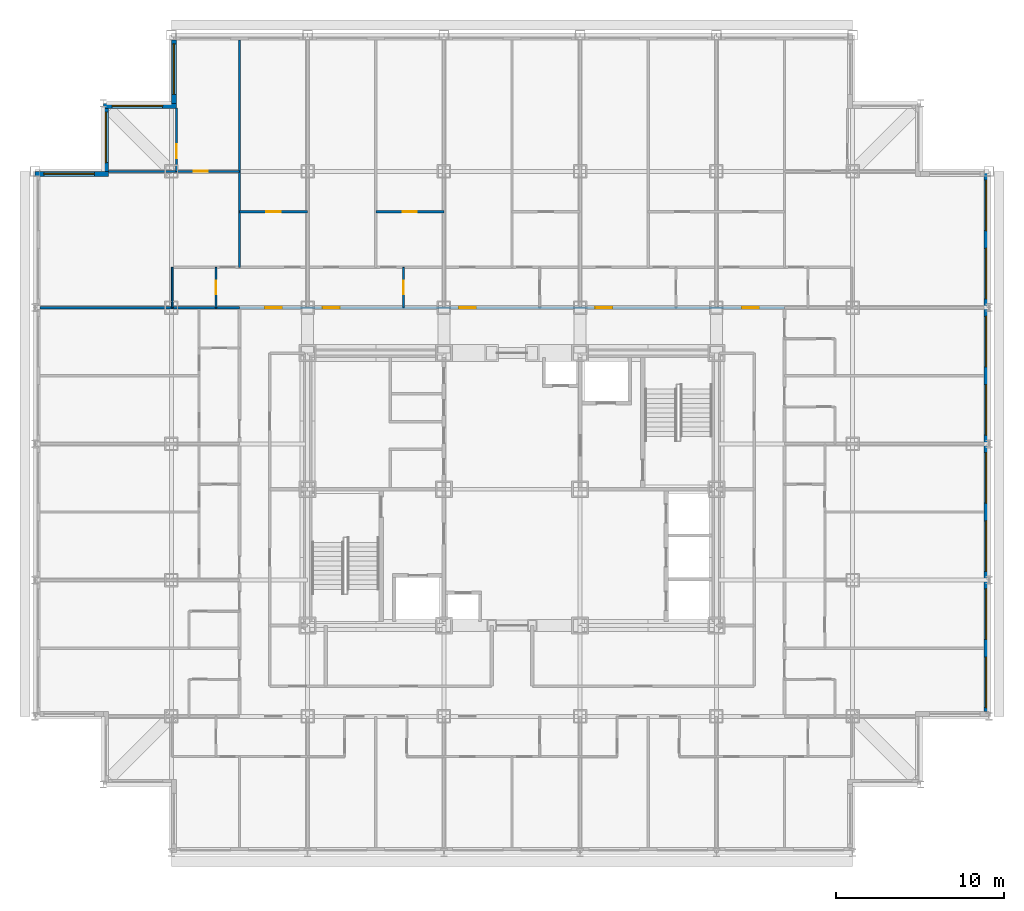
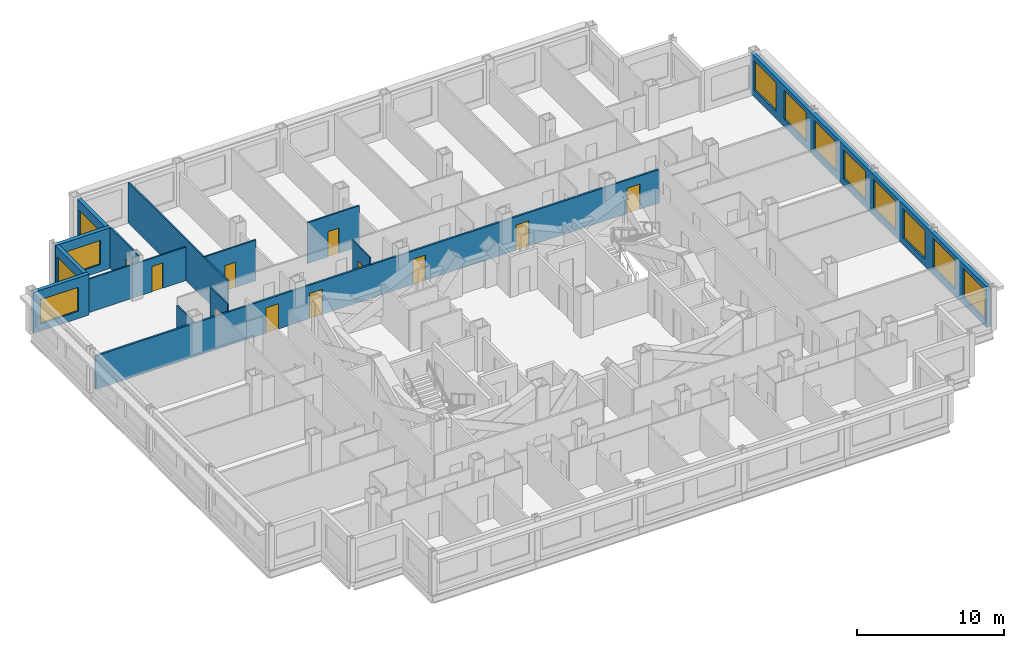
# One storey, part 9 of 12: 15 walls, 12 windows, 11 doors, 23 openings.
"""IFC4 building model written with IfcOpenShell, lengths in metres."""

from ifc_helpers import new_model, si_unit, direction, frame, frame_2d, origin, place, context, subcontext, project, spatial, rectangle, extrude, material, layer, layer_set, type_object, element, fill, save


model = new_model("IFC4")

# Units and contexts
model_context = context("Model", 3, precision=1e-05, world=origin(), true_north=direction((0.0, 1.0)))
body_context = subcontext(model_context, "Body", "Model", "MODEL_VIEW")
ifc_project = project(units=[si_unit("LENGTHUNIT", "METRE"), si_unit("AREAUNIT", "SQUARE_METRE"), si_unit("VOLUMEUNIT", "CUBIC_METRE"), si_unit("PLANEANGLEUNIT", "RADIAN"), si_unit("MASSUNIT", "GRAM", prefix="KILO")], contexts=[model_context])

# Site, building, storey
site_placement = place(None, origin())
site = spatial("IfcSite", under=ifc_project, at=site_placement, CompositionType="ELEMENT")
building_placement = place(site_placement, origin())
building = spatial("IfcBuilding", under=site, at=building_placement, Name="Kopane Lantern Tower", CompositionType="ELEMENT")
storey_placement = place(building_placement, frame((0.0, 0.0, 174.0)))
storey = spatial("IfcBuildingStorey", under=building, at=storey_placement, Name="L44", CompositionType="ELEMENT", Elevation=174.0)

# Wall
ifc_material_1 = material(Name="Gypsum board on steel studs", Category="steel")
ifc_layer_1 = layer(ifc_material_1, 0.1201171875)
ifc_layer_set_1 = layer_set([ifc_layer_1], Name="APARTMENT INTERNAL WALL 120")
wall_type_1 = type_object("IfcWallType", Name="APARTMENT INTERNAL WALL 120", PredefinedType="PARTITIONING", material=ifc_layer_set_1)
wall_1_placement = place(storey_placement, frame((12.14990234375, 45.60009765625, 0.0), z_axis=(0.0, 0.0, 1.0), x_axis=(0.0, 1.0, 0.0)))
element("IfcWall", 1, at=wall_1_placement, inside=storey, type_object=wall_type_1, Name="Apartment Internal Wall 120 L44", PredefinedType="PARTITIONING", context=body_context, shape_type="SweptSolid", body=[
    extrude(rectangle(XDim=13.5, YDim=0.1201171875, at=frame_2d((6.75, 0.0))), origin(), (0.0, 0.0, 1.0), 3.389892578125),
])

# Wall, opening, door
wall_2_placement = place(storey_placement, frame((12.14990234375, 51.300048828125, 0.0), z_axis=(0.0, 0.0, 1.0), x_axis=(-1.0, 0.0, 0.0)))
wall_2 = element("IfcWall", 2, at=wall_2_placement, inside=storey, type_object=wall_type_1, Name="Apartment Internal Wall 120 L44", PredefinedType="PARTITIONING", context=body_context, shape_type="SweptSolid", body=[
    extrude(rectangle(XDim=7.7998046875, YDim=0.1201171875, at=frame_2d((3.89990234375, 0.0))), origin(), (0.0, 0.0, 1.0), 2.77783203125),
])
opening_1_placement = place(wall_2_placement, frame((1.875, 0.0, 0.0)))
opening_1 = element("IfcOpeningElement", 3, at=opening_1_placement, cuts=wall_2, Name="Opening L44-071", PredefinedType="OPENING", context=body_context, shape_type="SweptSolid", body=[
    extrude(rectangle(XDim=0.85009765625, YDim=2.10009765625, at=frame_2d((0.425048828125, 1.050048828125))), frame((0.0, 0.070068359375, 0.0), z_axis=(0.0, -1.0, 0.0), x_axis=(1.0, 0.0, 0.0)), (0.0, 0.0, 1.0), 0.14013671875),
])
ifc_material_2 = material(Name="Timber door set", Category="wood")
door_type_1 = type_object("IfcDoorType", Name="DOOR D4 850x2100", OperationType="SINGLE_SWING_LEFT", PredefinedType="DOOR", material=ifc_material_2)
door_1_placement = place(opening_1_placement, origin())
door_1 = element("IfcDoor", 4, at=door_1_placement, inside=storey, type_object=door_type_1, Name="Door L44-071", OperationType="SINGLE_SWING_LEFT", OverallHeight=2.10009765625, OverallWidth=0.85009765625, PredefinedType="DOOR", context=body_context, shape_type="SweptSolid", body=[
    extrude(rectangle(XDim=0.85009765625, YDim=2.10009765625, at=frame_2d((0.425048828125, 1.050048828125))), frame((0.0, 0.02490234375, 0.0), z_axis=(0.0, -1.0, 0.0), x_axis=(1.0, 0.0, 0.0)), (0.0, 0.0, 1.0), 0.050048828125),
])
fill(opening_1, door_1)

wall_3_placement = place(storey_placement, frame((8.39990234375, 55.06005859375, 0.0), z_axis=(0.0, 0.0, 1.0), x_axis=(0.0, -1.0, 0.0)))
wall_3 = element("IfcWall", 5, at=wall_3_placement, inside=storey, type_object=wall_type_1, Name="Apartment Internal Wall 120 L44", PredefinedType="PARTITIONING", context=body_context, shape_type="SweptSolid", body=[
    extrude(rectangle(XDim=3.760009765625, YDim=0.1201171875, at=frame_2d((1.8798828125, 0.0))), origin(), (0.0, 0.0, 1.0), 3.389892578125),
])
opening_2_placement = place(wall_3_placement, frame((2.135009765625, 0.0, 0.0)))
opening_2 = element("IfcOpeningElement", 6, at=opening_2_placement, cuts=wall_3, Name="Opening L44-073", PredefinedType="OPENING", context=body_context, shape_type="SweptSolid", body=[
    extrude(rectangle(XDim=0.85009765625, YDim=2.10009765625, at=frame_2d((0.425048828125, 1.050048828125))), frame((0.0, 0.070068359375, 0.0), z_axis=(0.0, -1.0, 0.0), x_axis=(1.0, 0.0, 0.0)), (0.0, 0.0, 1.0), 0.14013671875),
])
door_2_placement = place(opening_2_placement, origin())
door_2 = element("IfcDoor", 7, at=door_2_placement, inside=storey, type_object=door_type_1, Name="Door L44-073", OperationType="SINGLE_SWING_RIGHT", OverallHeight=2.10009765625, OverallWidth=0.85009765625, PredefinedType="DOOR", context=body_context, shape_type="SweptSolid", body=[
    extrude(rectangle(XDim=0.85009765625, YDim=2.10009765625, at=frame_2d((0.425048828125, 1.050048828125))), frame((0.0, 0.02490234375, 0.0), z_axis=(0.0, -1.0, 0.0), x_axis=(1.0, 0.0, 0.0)), (0.0, 0.0, 1.0), 0.050048828125),
])
fill(opening_2, door_2)

wall_4_placement = place(storey_placement, frame((20.25, 48.89990234375, 0.0), z_axis=(0.0, 0.0, 1.0), x_axis=(1.0, 0.0, 0.0)))
wall_4 = element("IfcWall", 8, at=wall_4_placement, inside=storey, type_object=wall_type_1, Name="Apartment Internal Wall 120 L44", PredefinedType="PARTITIONING", context=body_context, shape_type="SweptSolid", body=[
    extrude(rectangle(XDim=4.050048828125, YDim=0.1201171875, at=frame_2d((2.02490234375, 0.0))), origin(), (0.0, 0.0, 1.0), 3.389892578125),
])
opening_3_placement = place(wall_4_placement, frame((1.60009765625, 0.0, 0.0)))
opening_3 = element("IfcOpeningElement", 9, at=opening_3_placement, cuts=wall_4, Name="Opening L44-074", PredefinedType="OPENING", context=body_context, shape_type="SweptSolid", body=[
    extrude(rectangle(XDim=0.85009765625, YDim=2.10009765625, at=frame_2d((0.425048828125, 1.050048828125))), frame((0.0, 0.070068359375, 0.0), z_axis=(0.0, -1.0, 0.0), x_axis=(1.0, 0.0, 0.0)), (0.0, 0.0, 1.0), 0.14013671875),
])
door_3_placement = place(opening_3_placement, origin())
door_3 = element("IfcDoor", 10, at=door_3_placement, inside=storey, type_object=door_type_1, Name="Door L44-074", OperationType="SINGLE_SWING_RIGHT", OverallHeight=2.10009765625, OverallWidth=0.85009765625, PredefinedType="DOOR", context=body_context, shape_type="SweptSolid", body=[
    extrude(rectangle(XDim=0.85009765625, YDim=2.10009765625, at=frame_2d((0.425048828125, 1.050048828125))), frame((0.0, 0.02490234375, 0.0), z_axis=(0.0, -1.0, 0.0), x_axis=(1.0, 0.0, 0.0)), (0.0, 0.0, 1.0), 0.050048828125),
])
fill(opening_3, door_3)

wall_5_placement = place(storey_placement, frame((12.14990234375, 48.89990234375, 0.0), z_axis=(0.0, 0.0, 1.0), x_axis=(1.0, 0.0, 0.0)))
wall_5 = element("IfcWall", 11, at=wall_5_placement, inside=storey, type_object=wall_type_1, Name="Apartment Internal Wall 120 L44", PredefinedType="PARTITIONING", context=body_context, shape_type="SweptSolid", body=[
    extrude(rectangle(XDim=4.050048828125, YDim=0.1201171875, at=frame_2d((2.02490234375, 0.0))), origin(), (0.0, 0.0, 1.0), 3.389892578125),
])
opening_4_placement = place(wall_5_placement, frame((1.60009765625, 0.0, 0.0)))
opening_4 = element("IfcOpeningElement", 12, at=opening_4_placement, cuts=wall_5, Name="Opening L44-078", PredefinedType="OPENING", context=body_context, shape_type="SweptSolid", body=[
    extrude(rectangle(XDim=0.85009765625, YDim=2.10009765625, at=frame_2d((0.425048828125, 1.050048828125))), frame((0.0, 0.070068359375, 0.0), z_axis=(0.0, -1.0, 0.0), x_axis=(1.0, 0.0, 0.0)), (0.0, 0.0, 1.0), 0.14013671875),
])
door_4_placement = place(opening_4_placement, origin())
door_4 = element("IfcDoor", 13, at=door_4_placement, inside=storey, type_object=door_type_1, Name="Door L44-078", OperationType="SINGLE_SWING_RIGHT", OverallHeight=2.10009765625, OverallWidth=0.85009765625, PredefinedType="DOOR", context=body_context, shape_type="SweptSolid", body=[
    extrude(rectangle(XDim=0.85009765625, YDim=2.10009765625, at=frame_2d((0.425048828125, 1.050048828125))), frame((0.0, 0.02490234375, 0.0), z_axis=(0.0, -1.0, 0.0), x_axis=(1.0, 0.0, 0.0)), (0.0, 0.0, 1.0), 0.050048828125),
])
fill(opening_4, door_4)

ifc_material_3 = material(Name="Moisture-resistant board on steel studs", Category="steel")
ifc_layer_2 = layer(ifc_material_3, 0.10009765625)
ifc_layer_set_2 = layer_set([ifc_layer_2], Name="BATHROOM WALL 100")
wall_type_2 = type_object("IfcWallType", Name="BATHROOM WALL 100", PredefinedType="PARTITIONING", material=ifc_layer_set_2)
wall_6_placement = place(storey_placement, frame((21.89990234375, 43.199951171875, 0.0), z_axis=(0.0, 0.0, 1.0), x_axis=(0.0, 1.0, 0.0)))
wall_6 = element("IfcWall", 14, at=wall_6_placement, inside=storey, type_object=wall_type_2, Name="Bathroom Wall 100 L44", PredefinedType="PARTITIONING", context=body_context, shape_type="SweptSolid", body=[
    extrude(rectangle(XDim=2.400146484375, YDim=0.10009765625, at=frame_2d((1.2001953125, 0.0))), origin(), (0.0, 0.0, 1.0), 3.389892578125),
])
opening_5_placement = place(wall_6_placement, frame((0.800048828125, 0.0, 0.0)))
opening_5 = element("IfcOpeningElement", 15, at=opening_5_placement, cuts=wall_6, Name="Opening L44-020", PredefinedType="OPENING", context=body_context, shape_type="SweptSolid", body=[
    extrude(rectangle(XDim=0.800048828125, YDim=2.10009765625, at=frame_2d((0.39990234375, 1.050048828125))), frame((0.0, 0.06005859375, 0.0), z_axis=(0.0, -1.0, 0.0), x_axis=(1.0, 0.0, 0.0)), (0.0, 0.0, 1.0), 0.1201171875),
])
ifc_material_4 = material(Name="Timber door set", Category="wood")
door_type_2 = type_object("IfcDoorType", Name="DOOR D2 800x2100", OperationType="SINGLE_SWING_LEFT", PredefinedType="DOOR", material=ifc_material_4)
door_5_placement = place(opening_5_placement, origin())
door_5 = element("IfcDoor", 16, at=door_5_placement, inside=storey, type_object=door_type_2, Name="Door L44-020", OperationType="SINGLE_SWING_RIGHT", OverallHeight=2.10009765625, OverallWidth=0.800048828125, PredefinedType="DOOR", context=body_context, shape_type="SweptSolid", body=[
    extrude(rectangle(XDim=0.800048828125, YDim=2.10009765625, at=frame_2d((0.39990234375, 1.050048828125))), frame((0.0, 0.02490234375, 0.0), z_axis=(0.0, -1.0, 0.0), x_axis=(1.0, 0.0, 0.0)), (0.0, 0.0, 1.0), 0.050048828125),
])
fill(opening_5, door_5)

wall_7_placement = place(storey_placement, frame((10.75, 43.199951171875, 0.0), z_axis=(0.0, 0.0, 1.0), x_axis=(0.0, 1.0, 0.0)))
wall_7 = element("IfcWall", 17, at=wall_7_placement, inside=storey, type_object=wall_type_2, Name="Bathroom Wall 100 L44", PredefinedType="PARTITIONING", context=body_context, shape_type="SweptSolid", body=[
    extrude(rectangle(XDim=2.400146484375, YDim=0.10009765625, at=frame_2d((1.2001953125, 0.0))), origin(), (0.0, 0.0, 1.0), 3.389892578125),
])
opening_6_placement = place(wall_7_placement, frame((0.800048828125, 0.0, 0.0)))
opening_6 = element("IfcOpeningElement", 18, at=opening_6_placement, cuts=wall_7, Name="Opening L44-069", PredefinedType="OPENING", context=body_context, shape_type="SweptSolid", body=[
    extrude(rectangle(XDim=0.800048828125, YDim=2.10009765625, at=frame_2d((0.39990234375, 1.050048828125))), frame((0.0, 0.06005859375, 0.0), z_axis=(0.0, -1.0, 0.0), x_axis=(1.0, 0.0, 0.0)), (0.0, 0.0, 1.0), 0.1201171875),
])
door_6_placement = place(opening_6_placement, origin())
door_6 = element("IfcDoor", 19, at=door_6_placement, inside=storey, type_object=door_type_2, Name="Door L44-069", OperationType="SINGLE_SWING_LEFT", OverallHeight=2.10009765625, OverallWidth=0.800048828125, PredefinedType="DOOR", context=body_context, shape_type="SweptSolid", body=[
    extrude(rectangle(XDim=0.800048828125, YDim=2.10009765625, at=frame_2d((0.39990234375, 1.050048828125))), frame((0.0, 0.02490234375, 0.0), z_axis=(0.0, -1.0, 0.0), x_axis=(1.0, 0.0, 0.0)), (0.0, 0.0, 1.0), 0.050048828125),
])
fill(opening_6, door_6)

# Wall
wall_8_placement = place(storey_placement, frame((8.14990234375, 43.199951171875, 0.0), z_axis=(0.0, 0.0, 1.0), x_axis=(0.0, 1.0, 0.0)))
element("IfcWall", 20, at=wall_8_placement, inside=storey, type_object=wall_type_2, Name="Bathroom Wall 100 L44", PredefinedType="PARTITIONING", context=body_context, shape_type="SweptSolid", body=[
    extrude(rectangle(XDim=2.400146484375, YDim=0.10009765625, at=frame_2d((1.2001953125, 0.0))), origin(), (0.0, 0.0, 1.0), 2.77783203125),
])

# Wall, openings, doors
ifc_material_5 = material(Name="Gypsum board on steel studs", Category="steel")
ifc_layer_3 = layer(ifc_material_5, 0.14990234375)
ifc_layer_set_3 = layer_set([ifc_layer_3], Name="CORRIDOR WALL 150 EI 60")
wall_type_3 = type_object("IfcWallType", Name="CORRIDOR WALL 150 EI 60", PredefinedType="PARTITIONING", material=ifc_layer_set_3)
wall_9_placement = place(storey_placement, frame((12.14990234375, 43.199951171875, 0.0), z_axis=(0.0, 0.0, 1.0), x_axis=(1.0, 0.0, 0.0)))
wall_9 = element("IfcWall", 21, at=wall_9_placement, inside=storey, type_object=wall_type_3, Name="Corridor Wall 150 Ei 60 L44", PredefinedType="PARTITIONING", context=body_context, shape_type="SweptSolid", body=[
    extrude(rectangle(XDim=32.400146484375, YDim=0.14990234375, at=frame_2d((16.2001953125, 0.0))), origin(), (0.0, 0.0, 1.0), 2.77783203125),
])
opening_7_placement = place(wall_9_placement, frame((4.949951171875, 0.0, 0.0)))
opening_7 = element("IfcOpeningElement", 22, at=opening_7_placement, cuts=wall_9, Name="Opening L44-021", PredefinedType="OPENING", context=body_context, shape_type="SweptSolid", body=[
    extrude(rectangle(XDim=1.0, YDim=2.10009765625, at=frame_2d((0.5, 1.050048828125))), frame((0.0, 0.0849609375, 0.0), z_axis=(0.0, -1.0, 0.0), x_axis=(1.0, 0.0, 0.0)), (0.0, 0.0, 1.0), 0.169921875),
])
opening_8_placement = place(wall_9_placement, frame((13.050048828125, 0.0, 0.0)))
opening_8 = element("IfcOpeningElement", 23, at=opening_8_placement, cuts=wall_9, Name="Opening L44-025", PredefinedType="OPENING", context=body_context, shape_type="SweptSolid", body=[
    extrude(rectangle(XDim=1.0, YDim=2.10009765625, at=frame_2d((0.5, 1.050048828125))), frame((0.0, 0.0849609375, 0.0), z_axis=(0.0, -1.0, 0.0), x_axis=(1.0, 0.0, 0.0)), (0.0, 0.0, 1.0), 0.169921875),
])
opening_9_placement = place(wall_9_placement, frame((21.14990234375, 0.0, 0.0)))
opening_9 = element("IfcOpeningElement", 24, at=opening_9_placement, cuts=wall_9, Name="Opening L44-029", PredefinedType="OPENING", context=body_context, shape_type="SweptSolid", body=[
    extrude(rectangle(XDim=1.0, YDim=2.10009765625, at=frame_2d((0.5, 1.050048828125))), frame((0.0, 0.0849609375, 0.0), z_axis=(0.0, -1.0, 0.0), x_axis=(1.0, 0.0, 0.0)), (0.0, 0.0, 1.0), 0.169921875),
])
opening_10_placement = place(wall_9_placement, frame((29.875, 0.0, 0.0)))
opening_10 = element("IfcOpeningElement", 25, at=opening_10_placement, cuts=wall_9, Name="Opening L44-062", PredefinedType="OPENING", context=body_context, shape_type="SweptSolid", body=[
    extrude(rectangle(XDim=1.0, YDim=2.10009765625, at=frame_2d((0.5, 1.050048828125))), frame((0.0, 0.0849609375, 0.0), z_axis=(0.0, -1.0, 0.0), x_axis=(1.0, 0.0, 0.0)), (0.0, 0.0, 1.0), 0.169921875),
])
opening_11_placement = place(wall_9_placement, frame((1.52490234375, 0.0, 0.0)))
opening_11 = element("IfcOpeningElement", 26, at=opening_11_placement, cuts=wall_9, Name="Opening L44-067", PredefinedType="OPENING", context=body_context, shape_type="SweptSolid", body=[
    extrude(rectangle(XDim=1.0, YDim=2.10009765625, at=frame_2d((0.5, 1.050048828125))), frame((0.0, 0.0849609375, 0.0), z_axis=(0.0, -1.0, 0.0), x_axis=(1.0, 0.0, 0.0)), (0.0, 0.0, 1.0), 0.169921875),
])
ifc_material_6 = material(Name="Steel door set", Category="steel")
door_type_3 = type_object("IfcDoorType", Name="DOOR D3 1000x2100 FD30S", OperationType="SINGLE_SWING_LEFT", PredefinedType="DOOR", material=ifc_material_6)
door_7_placement = place(opening_7_placement, origin())
door_7 = element("IfcDoor", 27, at=door_7_placement, inside=storey, type_object=door_type_3, Name="Door L44-021", OperationType="SINGLE_SWING_LEFT", OverallHeight=2.10009765625, OverallWidth=1.0, PredefinedType="DOOR", context=body_context, shape_type="SweptSolid", body=[
    extrude(rectangle(XDim=1.0, YDim=2.10009765625, at=frame_2d((0.5, 1.050048828125))), frame((0.0, 0.02490234375, 0.0), z_axis=(0.0, -1.0, 0.0), x_axis=(1.0, 0.0, 0.0)), (0.0, 0.0, 1.0), 0.050048828125),
])
fill(opening_7, door_7)
door_8_placement = place(opening_8_placement, origin())
door_8 = element("IfcDoor", 28, at=door_8_placement, inside=storey, type_object=door_type_3, Name="Door L44-025", OperationType="SINGLE_SWING_LEFT", OverallHeight=2.10009765625, OverallWidth=1.0, PredefinedType="DOOR", context=body_context, shape_type="SweptSolid", body=[
    extrude(rectangle(XDim=1.0, YDim=2.10009765625, at=frame_2d((0.5, 1.050048828125))), frame((0.0, 0.02490234375, 0.0), z_axis=(0.0, -1.0, 0.0), x_axis=(1.0, 0.0, 0.0)), (0.0, 0.0, 1.0), 0.050048828125),
])
fill(opening_8, door_8)
door_9_placement = place(opening_9_placement, origin())
door_9 = element("IfcDoor", 29, at=door_9_placement, inside=storey, type_object=door_type_3, Name="Door L44-029", OperationType="SINGLE_SWING_LEFT", OverallHeight=2.10009765625, OverallWidth=1.0, PredefinedType="DOOR", context=body_context, shape_type="SweptSolid", body=[
    extrude(rectangle(XDim=1.0, YDim=2.10009765625, at=frame_2d((0.5, 1.050048828125))), frame((0.0, 0.02490234375, 0.0), z_axis=(0.0, -1.0, 0.0), x_axis=(1.0, 0.0, 0.0)), (0.0, 0.0, 1.0), 0.050048828125),
])
fill(opening_9, door_9)
door_10_placement = place(opening_10_placement, origin())
door_10 = element("IfcDoor", 30, at=door_10_placement, inside=storey, type_object=door_type_3, Name="Door L44-062", OperationType="SINGLE_SWING_LEFT", OverallHeight=2.10009765625, OverallWidth=1.0, PredefinedType="DOOR", context=body_context, shape_type="SweptSolid", body=[
    extrude(rectangle(XDim=1.0, YDim=2.10009765625, at=frame_2d((0.5, 1.050048828125))), frame((0.0, 0.02490234375, 0.0), z_axis=(0.0, -1.0, 0.0), x_axis=(1.0, 0.0, 0.0)), (0.0, 0.0, 1.0), 0.050048828125),
])
fill(opening_10, door_10)
door_11_placement = place(opening_11_placement, origin())
door_11 = element("IfcDoor", 31, at=door_11_placement, inside=storey, type_object=door_type_3, Name="Door L44-067", OperationType="SINGLE_SWING_RIGHT", OverallHeight=2.10009765625, OverallWidth=1.0, PredefinedType="DOOR", context=body_context, shape_type="SweptSolid", body=[
    extrude(rectangle(XDim=1.0, YDim=2.10009765625, at=frame_2d((0.5, 1.050048828125))), frame((0.0, 0.02490234375, 0.0), z_axis=(0.0, -1.0, 0.0), x_axis=(1.0, 0.0, 0.0)), (0.0, 0.0, 1.0), 0.050048828125),
])
fill(opening_11, door_11)

# Wall
ifc_material_7 = material(Name="Gypsum board on steel studs", Category="steel")
ifc_layer_4 = layer(ifc_material_7, 0.14990234375)
ifc_layer_set_4 = layer_set([ifc_layer_4], Name="DEMISING WALL 150 EI 60")
wall_type_4 = type_object("IfcWallType", Name="DEMISING WALL 150 EI 60", PredefinedType="PARTITIONING", material=ifc_layer_set_4)
wall_10_placement = place(storey_placement, frame((0.300048828125, 43.199951171875, 0.0), z_axis=(0.0, 0.0, 1.0), x_axis=(1.0, 0.0, 0.0)))
element("IfcWall", 32, at=wall_10_placement, inside=storey, type_object=wall_type_4, Name="Demising Wall 150 Ei 60 L44", PredefinedType="PARTITIONING", context=body_context, shape_type="SweptSolid", body=[
    extrude(rectangle(XDim=11.849853515625, YDim=0.14990234375, at=frame_2d((5.9248046875, 0.0))), origin(), (0.0, 0.0, 1.0), 2.77783203125),
])

# Wall, openings, windows
ifc_material_8 = material(Name="Terracotta rainscreen on light steel framing", Category="masonry")
ifc_layer_5 = layer(ifc_material_8, 0.300048828125)
ifc_layer_set_5 = layer_set([ifc_layer_5], Name="EXTERNAL WALL EW1 300 TERRACOTTA")
wall_type_5 = type_object("IfcWallType", Name="EXTERNAL WALL EW1 300 TERRACOTTA", PredefinedType="SOLIDWALL", material=ifc_layer_set_5)
wall_11_placement = place(storey_placement, frame((56.550048828125, 19.199951171875, 0.0), z_axis=(0.0, 0.0, 1.0), x_axis=(0.0, 1.0, 0.0)))
wall_11 = element("IfcWall", 33, at=wall_11_placement, inside=storey, type_object=wall_type_5, Name="External wall E L44", PredefinedType="SOLIDWALL", context=body_context, shape_type="SweptSolid", body=[
    extrude(rectangle(XDim=32.10009765625, YDim=0.300048828125, at=frame_2d((16.050048828125, 0.0))), origin(), (0.0, 0.0, 1.0), 3.389892578125),
])
opening_12_placement = place(wall_11_placement, frame((0.22509765625, 0.0, 0.60009765625)))
opening_12 = element("IfcOpeningElement", 34, at=opening_12_placement, cuts=wall_11, Name="Opening WR300240", PredefinedType="OPENING", context=body_context, shape_type="SweptSolid", body=[
    extrude(rectangle(XDim=3.0, YDim=2.39990234375, at=frame_2d((1.5, 1.199951171875))), frame((0.0, 0.159912109375, 0.0), z_axis=(0.0, -1.0, 0.0), x_axis=(1.0, 0.0, 0.0)), (0.0, 0.0, 1.0), 0.320068359375),
])
opening_13_placement = place(wall_11_placement, frame((4.27490234375, 0.0, 0.60009765625)))
opening_13 = element("IfcOpeningElement", 35, at=opening_13_placement, cuts=wall_11, Name="Opening WR300240", PredefinedType="OPENING", context=body_context, shape_type="SweptSolid", body=[
    extrude(rectangle(XDim=3.0, YDim=2.39990234375, at=frame_2d((1.5, 1.199951171875))), frame((0.0, 0.159912109375, 0.0), z_axis=(0.0, -1.0, 0.0), x_axis=(1.0, 0.0, 0.0)), (0.0, 0.0, 1.0), 0.320068359375),
])
opening_14_placement = place(wall_11_placement, frame((8.324951171875, 0.0, 0.60009765625)))
opening_14 = element("IfcOpeningElement", 36, at=opening_14_placement, cuts=wall_11, Name="Opening WR300240", PredefinedType="OPENING", context=body_context, shape_type="SweptSolid", body=[
    extrude(rectangle(XDim=3.0, YDim=2.39990234375, at=frame_2d((1.5, 1.199951171875))), frame((0.0, 0.159912109375, 0.0), z_axis=(0.0, -1.0, 0.0), x_axis=(1.0, 0.0, 0.0)), (0.0, 0.0, 1.0), 0.320068359375),
])
opening_15_placement = place(wall_11_placement, frame((12.375, 0.0, 0.60009765625)))
opening_15 = element("IfcOpeningElement", 37, at=opening_15_placement, cuts=wall_11, Name="Opening WR300240", PredefinedType="OPENING", context=body_context, shape_type="SweptSolid", body=[
    extrude(rectangle(XDim=3.0, YDim=2.39990234375, at=frame_2d((1.5, 1.199951171875))), frame((0.0, 0.159912109375, 0.0), z_axis=(0.0, -1.0, 0.0), x_axis=(1.0, 0.0, 0.0)), (0.0, 0.0, 1.0), 0.320068359375),
])
opening_16_placement = place(wall_11_placement, frame((16.425048828125, 0.0, 0.60009765625)))
opening_16 = element("IfcOpeningElement", 38, at=opening_16_placement, cuts=wall_11, Name="Opening WR300240", PredefinedType="OPENING", context=body_context, shape_type="SweptSolid", body=[
    extrude(rectangle(XDim=3.0, YDim=2.39990234375, at=frame_2d((1.5, 1.199951171875))), frame((0.0, 0.159912109375, 0.0), z_axis=(0.0, -1.0, 0.0), x_axis=(1.0, 0.0, 0.0)), (0.0, 0.0, 1.0), 0.320068359375),
])
opening_17_placement = place(wall_11_placement, frame((20.47509765625, 0.0, 0.60009765625)))
opening_17 = element("IfcOpeningElement", 39, at=opening_17_placement, cuts=wall_11, Name="Opening WR300240", PredefinedType="OPENING", context=body_context, shape_type="SweptSolid", body=[
    extrude(rectangle(XDim=3.0, YDim=2.39990234375, at=frame_2d((1.5, 1.199951171875))), frame((0.0, 0.159912109375, 0.0), z_axis=(0.0, -1.0, 0.0), x_axis=(1.0, 0.0, 0.0)), (0.0, 0.0, 1.0), 0.320068359375),
])
opening_18_placement = place(wall_11_placement, frame((24.52490234375, 0.0, 0.60009765625)))
opening_18 = element("IfcOpeningElement", 40, at=opening_18_placement, cuts=wall_11, Name="Opening WR300240", PredefinedType="OPENING", context=body_context, shape_type="SweptSolid", body=[
    extrude(rectangle(XDim=3.0, YDim=2.39990234375, at=frame_2d((1.5, 1.199951171875))), frame((0.0, 0.159912109375, 0.0), z_axis=(0.0, -1.0, 0.0), x_axis=(1.0, 0.0, 0.0)), (0.0, 0.0, 1.0), 0.320068359375),
])
opening_19_placement = place(wall_11_placement, frame((28.574951171875, 0.0, 0.60009765625)))
opening_19 = element("IfcOpeningElement", 41, at=opening_19_placement, cuts=wall_11, Name="Opening WR300240", PredefinedType="OPENING", context=body_context, shape_type="SweptSolid", body=[
    extrude(rectangle(XDim=3.0, YDim=2.39990234375, at=frame_2d((1.5, 1.199951171875))), frame((0.0, 0.159912109375, 0.0), z_axis=(0.0, -1.0, 0.0), x_axis=(1.0, 0.0, 0.0)), (0.0, 0.0, 1.0), 0.320068359375),
])
ifc_material_9 = material(Name="Aluminium and clear glass", Category="aluminium")
window_type_1 = type_object("IfcWindowType", Name="RIBBON WINDOW WR300240 3000x2400", PartitioningType="SINGLE_PANEL", PredefinedType="WINDOW", material=ifc_material_9)
window_1_placement = place(opening_12_placement, origin())
window_1 = element("IfcWindow", 42, at=window_1_placement, inside=storey, type_object=window_type_1, Name="Window E L44", OverallHeight=2.39990234375, OverallWidth=3.0, PartitioningType="SINGLE_PANEL", PredefinedType="WINDOW", context=body_context, shape_type="SweptSolid", body=[
    extrude(rectangle(XDim=3.0, YDim=2.39990234375, at=frame_2d((1.5, 1.199951171875))), frame((0.0, 0.030029296875, 0.0), z_axis=(0.0, -1.0, 0.0), x_axis=(1.0, 0.0, 0.0)), (0.0, 0.0, 1.0), 0.06005859375),
])
fill(opening_12, window_1)
window_2_placement = place(opening_13_placement, origin())
window_2 = element("IfcWindow", 43, at=window_2_placement, inside=storey, type_object=window_type_1, Name="Window E L44", OverallHeight=2.39990234375, OverallWidth=3.0, PartitioningType="SINGLE_PANEL", PredefinedType="WINDOW", context=body_context, shape_type="SweptSolid", body=[
    extrude(rectangle(XDim=3.0, YDim=2.39990234375, at=frame_2d((1.5, 1.199951171875))), frame((0.0, 0.030029296875, 0.0), z_axis=(0.0, -1.0, 0.0), x_axis=(1.0, 0.0, 0.0)), (0.0, 0.0, 1.0), 0.06005859375),
])
fill(opening_13, window_2)
window_3_placement = place(opening_14_placement, origin())
window_3 = element("IfcWindow", 44, at=window_3_placement, inside=storey, type_object=window_type_1, Name="Window E L44", OverallHeight=2.39990234375, OverallWidth=3.0, PartitioningType="SINGLE_PANEL", PredefinedType="WINDOW", context=body_context, shape_type="SweptSolid", body=[
    extrude(rectangle(XDim=3.0, YDim=2.39990234375, at=frame_2d((1.5, 1.199951171875))), frame((0.0, 0.030029296875, 0.0), z_axis=(0.0, -1.0, 0.0), x_axis=(1.0, 0.0, 0.0)), (0.0, 0.0, 1.0), 0.06005859375),
])
fill(opening_14, window_3)
window_4_placement = place(opening_15_placement, origin())
window_4 = element("IfcWindow", 45, at=window_4_placement, inside=storey, type_object=window_type_1, Name="Window E L44", OverallHeight=2.39990234375, OverallWidth=3.0, PartitioningType="SINGLE_PANEL", PredefinedType="WINDOW", context=body_context, shape_type="SweptSolid", body=[
    extrude(rectangle(XDim=3.0, YDim=2.39990234375, at=frame_2d((1.5, 1.199951171875))), frame((0.0, 0.030029296875, 0.0), z_axis=(0.0, -1.0, 0.0), x_axis=(1.0, 0.0, 0.0)), (0.0, 0.0, 1.0), 0.06005859375),
])
fill(opening_15, window_4)
window_5_placement = place(opening_16_placement, origin())
window_5 = element("IfcWindow", 46, at=window_5_placement, inside=storey, type_object=window_type_1, Name="Window E L44", OverallHeight=2.39990234375, OverallWidth=3.0, PartitioningType="SINGLE_PANEL", PredefinedType="WINDOW", context=body_context, shape_type="SweptSolid", body=[
    extrude(rectangle(XDim=3.0, YDim=2.39990234375, at=frame_2d((1.5, 1.199951171875))), frame((0.0, 0.030029296875, 0.0), z_axis=(0.0, -1.0, 0.0), x_axis=(1.0, 0.0, 0.0)), (0.0, 0.0, 1.0), 0.06005859375),
])
fill(opening_16, window_5)
window_6_placement = place(opening_17_placement, origin())
window_6 = element("IfcWindow", 47, at=window_6_placement, inside=storey, type_object=window_type_1, Name="Window E L44", OverallHeight=2.39990234375, OverallWidth=3.0, PartitioningType="SINGLE_PANEL", PredefinedType="WINDOW", context=body_context, shape_type="SweptSolid", body=[
    extrude(rectangle(XDim=3.0, YDim=2.39990234375, at=frame_2d((1.5, 1.199951171875))), frame((0.0, 0.030029296875, 0.0), z_axis=(0.0, -1.0, 0.0), x_axis=(1.0, 0.0, 0.0)), (0.0, 0.0, 1.0), 0.06005859375),
])
fill(opening_17, window_6)
window_7_placement = place(opening_18_placement, origin())
window_7 = element("IfcWindow", 48, at=window_7_placement, inside=storey, type_object=window_type_1, Name="Window E L44", OverallHeight=2.39990234375, OverallWidth=3.0, PartitioningType="SINGLE_PANEL", PredefinedType="WINDOW", context=body_context, shape_type="SweptSolid", body=[
    extrude(rectangle(XDim=3.0, YDim=2.39990234375, at=frame_2d((1.5, 1.199951171875))), frame((0.0, 0.030029296875, 0.0), z_axis=(0.0, -1.0, 0.0), x_axis=(1.0, 0.0, 0.0)), (0.0, 0.0, 1.0), 0.06005859375),
])
fill(opening_18, window_7)
window_8_placement = place(opening_19_placement, origin())
window_8 = element("IfcWindow", 49, at=window_8_placement, inside=storey, type_object=window_type_1, Name="Window E L44", OverallHeight=2.39990234375, OverallWidth=3.0, PartitioningType="SINGLE_PANEL", PredefinedType="WINDOW", context=body_context, shape_type="SweptSolid", body=[
    extrude(rectangle(XDim=3.0, YDim=2.39990234375, at=frame_2d((1.5, 1.199951171875))), frame((0.0, 0.030029296875, 0.0), z_axis=(0.0, -1.0, 0.0), x_axis=(1.0, 0.0, 0.0)), (0.0, 0.0, 1.0), 0.06005859375),
])
fill(opening_19, window_8)

# Wall, opening, window
wall_12_placement = place(storey_placement, frame((8.25, 59.10009765625, 0.0), z_axis=(0.0, 0.0, 1.0), x_axis=(0.0, -1.0, 0.0)))
wall_12 = element("IfcWall", 50, at=wall_12_placement, inside=storey, type_object=wall_type_5, Name="External wall W L44", PredefinedType="SOLIDWALL", context=body_context, shape_type="SweptSolid", body=[
    extrude(rectangle(XDim=3.75, YDim=0.300048828125, at=frame_2d((1.875, 0.0))), origin(), (0.0, 0.0, 1.0), 3.389892578125),
])
opening_20_placement = place(wall_12_placement, frame((0.22509765625, 0.0, 0.60009765625)))
opening_20 = element("IfcOpeningElement", 51, at=opening_20_placement, cuts=wall_12, Name="Opening WR300200", PredefinedType="OPENING", context=body_context, shape_type="SweptSolid", body=[
    extrude(rectangle(XDim=3.0, YDim=2.0, at=frame_2d((1.5, 1.0))), frame((0.0, 0.159912109375, 0.0), z_axis=(0.0, -1.0, 0.0), x_axis=(1.0, 0.0, 0.0)), (0.0, 0.0, 1.0), 0.320068359375),
])
ifc_material_10 = material(Name="Aluminium and clear glass", Category="aluminium")
window_type_2 = type_object("IfcWindowType", Name="RIBBON WINDOW WR300200 3000x2000", PartitioningType="SINGLE_PANEL", PredefinedType="WINDOW", material=ifc_material_10)
window_9_placement = place(opening_20_placement, origin())
window_9 = element("IfcWindow", 52, at=window_9_placement, inside=storey, type_object=window_type_2, Name="Window W L44", OverallHeight=2.0, OverallWidth=3.0, PartitioningType="SINGLE_PANEL", PredefinedType="WINDOW", context=body_context, shape_type="SweptSolid", body=[
    extrude(rectangle(XDim=3.0, YDim=2.0, at=frame_2d((1.5, 1.0))), frame((0.0, 0.030029296875, 0.0), z_axis=(0.0, -1.0, 0.0), x_axis=(1.0, 0.0, 0.0)), (0.0, 0.0, 1.0), 0.06005859375),
])
fill(opening_20, window_9)

wall_13_placement = place(storey_placement, frame((8.39990234375, 55.199951171875, 0.0), z_axis=(0.0, 0.0, 1.0), x_axis=(-1.0, 0.0, 0.0)))
wall_13 = element("IfcWall", 53, at=wall_13_placement, inside=storey, type_object=wall_type_5, Name="External wall N L44", PredefinedType="SOLIDWALL", context=body_context, shape_type="SweptSolid", body=[
    extrude(rectangle(XDim=4.349853515625, YDim=0.300048828125, at=frame_2d((2.1748046875, 0.0))), origin(), (0.0, 0.0, 1.0), 3.389892578125),
])
opening_21_placement = place(wall_13_placement, frame((0.824951171875, 0.0, 0.60009765625)))
opening_21 = element("IfcOpeningElement", 54, at=opening_21_placement, cuts=wall_13, Name="Opening WR300200", PredefinedType="OPENING", context=body_context, shape_type="SweptSolid", body=[
    extrude(rectangle(XDim=3.0, YDim=2.0, at=frame_2d((1.5, 1.0))), frame((0.0, 0.159912109375, 0.0), z_axis=(0.0, -1.0, 0.0), x_axis=(1.0, 0.0, 0.0)), (0.0, 0.0, 1.0), 0.320068359375),
])
window_10_placement = place(opening_21_placement, origin())
window_10 = element("IfcWindow", 55, at=window_10_placement, inside=storey, type_object=window_type_2, Name="Window N L44", OverallHeight=2.0, OverallWidth=3.0, PartitioningType="SINGLE_PANEL", PredefinedType="WINDOW", context=body_context, shape_type="SweptSolid", body=[
    extrude(rectangle(XDim=3.0, YDim=2.0, at=frame_2d((1.5, 1.0))), frame((0.0, 0.030029296875, 0.0), z_axis=(0.0, -1.0, 0.0), x_axis=(1.0, 0.0, 0.0)), (0.0, 0.0, 1.0), 0.06005859375),
])
fill(opening_21, window_10)

wall_14_placement = place(storey_placement, frame((4.199951171875, 55.050048828125, 0.0), z_axis=(0.0, 0.0, 1.0), x_axis=(0.0, -1.0, 0.0)))
wall_14 = element("IfcWall", 56, at=wall_14_placement, inside=storey, type_object=wall_type_5, Name="External wall W L44", PredefinedType="SOLIDWALL", context=body_context, shape_type="SweptSolid", body=[
    extrude(rectangle(XDim=3.75, YDim=0.300048828125, at=frame_2d((1.875, 0.0))), origin(), (0.0, 0.0, 1.0), 3.389892578125),
])
opening_22_placement = place(wall_14_placement, frame((0.22509765625, 0.0, 0.60009765625)))
opening_22 = element("IfcOpeningElement", 57, at=opening_22_placement, cuts=wall_14, Name="Opening WR300200", PredefinedType="OPENING", context=body_context, shape_type="SweptSolid", body=[
    extrude(rectangle(XDim=3.0, YDim=2.0, at=frame_2d((1.5, 1.0))), frame((0.0, 0.159912109375, 0.0), z_axis=(0.0, -1.0, 0.0), x_axis=(1.0, 0.0, 0.0)), (0.0, 0.0, 1.0), 0.320068359375),
])
window_11_placement = place(opening_22_placement, origin())
window_11 = element("IfcWindow", 58, at=window_11_placement, inside=storey, type_object=window_type_2, Name="Window W L44", OverallHeight=2.0, OverallWidth=3.0, PartitioningType="SINGLE_PANEL", PredefinedType="WINDOW", context=body_context, shape_type="SweptSolid", body=[
    extrude(rectangle(XDim=3.0, YDim=2.0, at=frame_2d((1.5, 1.0))), frame((0.0, 0.030029296875, 0.0), z_axis=(0.0, -1.0, 0.0), x_axis=(1.0, 0.0, 0.0)), (0.0, 0.0, 1.0), 0.06005859375),
])
fill(opening_22, window_11)

wall_15_placement = place(storey_placement, frame((4.35009765625, 51.14990234375, 0.0), z_axis=(0.0, 0.0, 1.0), x_axis=(-1.0, 0.0, 0.0)))
wall_15 = element("IfcWall", 59, at=wall_15_placement, inside=storey, type_object=wall_type_5, Name="External wall N L44", PredefinedType="SOLIDWALL", context=body_context, shape_type="SweptSolid", body=[
    extrude(rectangle(XDim=4.35009765625, YDim=0.300048828125, at=frame_2d((2.175048828125, 0.0))), origin(), (0.0, 0.0, 1.0), 3.389892578125),
])
opening_23_placement = place(wall_15_placement, frame((0.824951171875, 0.0, 0.60009765625)))
opening_23 = element("IfcOpeningElement", 60, at=opening_23_placement, cuts=wall_15, Name="Opening WR300200", PredefinedType="OPENING", context=body_context, shape_type="SweptSolid", body=[
    extrude(rectangle(XDim=3.0, YDim=2.0, at=frame_2d((1.5, 1.0))), frame((0.0, 0.159912109375, 0.0), z_axis=(0.0, -1.0, 0.0), x_axis=(1.0, 0.0, 0.0)), (0.0, 0.0, 1.0), 0.320068359375),
])
window_12_placement = place(opening_23_placement, origin())
window_12 = element("IfcWindow", 61, at=window_12_placement, inside=storey, type_object=window_type_2, Name="Window N L44", OverallHeight=2.0, OverallWidth=3.0, PartitioningType="SINGLE_PANEL", PredefinedType="WINDOW", context=body_context, shape_type="SweptSolid", body=[
    extrude(rectangle(XDim=3.0, YDim=2.0, at=frame_2d((1.5, 1.0))), frame((0.0, 0.030029296875, 0.0), z_axis=(0.0, -1.0, 0.0), x_axis=(1.0, 0.0, 0.0)), (0.0, 0.0, 1.0), 0.06005859375),
])
fill(opening_23, window_12)

save(model, "model.ifc")
